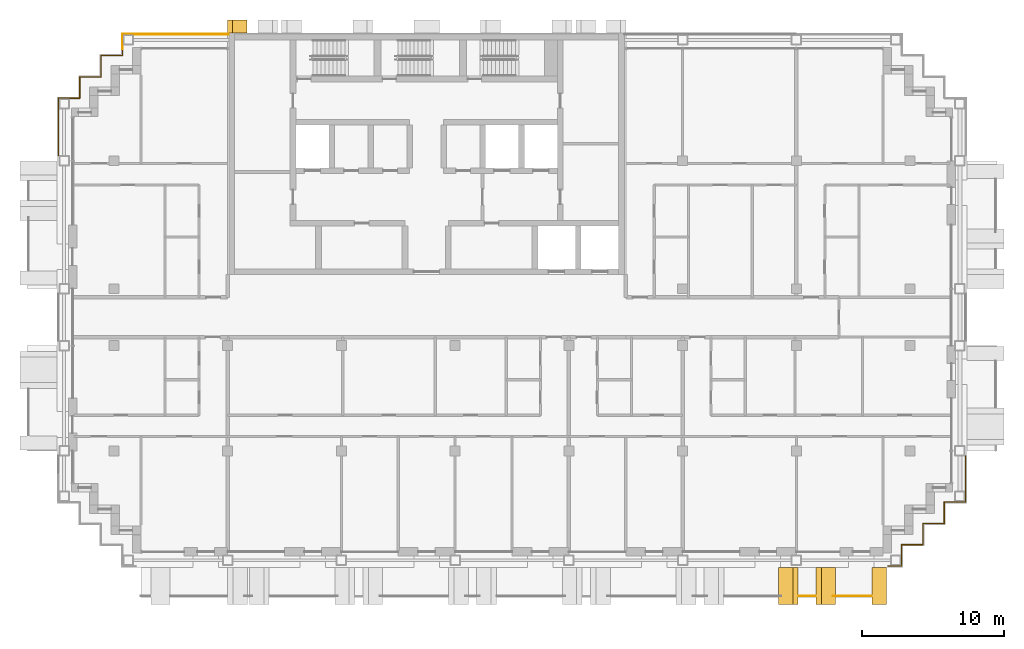
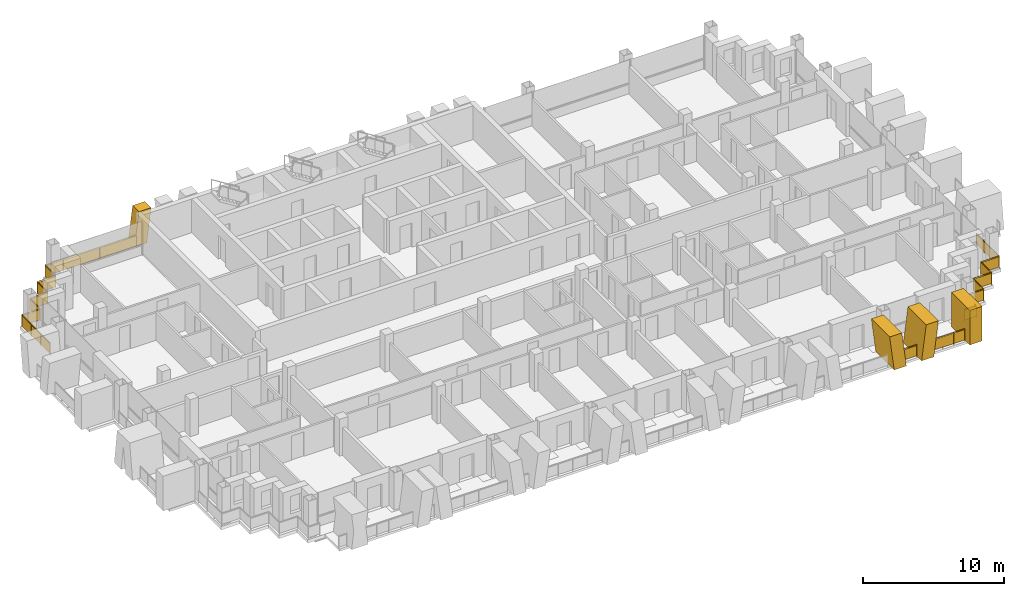
# One storey, part 14 of 16: 6 railings, 4 shading devices.
"""IFC4 building model written with IfcOpenShell, lengths in metres."""

from ifc_helpers import new_model, si_unit, direction, frame, origin, origin_2d, place, context, subcontext, project, spatial, polyline, rectangle, circle, outline, extrude, material, layer, layer_set, type_object, element, save


model = new_model("IFC4")

# Units and contexts
model_context = context("Model", 3, precision=1e-05, world=origin(), true_north=direction((0.0, 1.0)))
body_context = subcontext(model_context, "Body", "Model", "MODEL_VIEW")
ifc_project = project(units=[si_unit("LENGTHUNIT", "METRE"), si_unit("AREAUNIT", "SQUARE_METRE"), si_unit("VOLUMEUNIT", "CUBIC_METRE"), si_unit("PLANEANGLEUNIT", "RADIAN"), si_unit("MASSUNIT", "GRAM", prefix="KILO")], contexts=[model_context])

# Site, building, storey
site_placement = place(None, origin())
site = spatial("IfcSite", under=ifc_project, at=site_placement, CompositionType="ELEMENT")
building_placement = place(site_placement, origin())
building = spatial("IfcBuilding", under=site, at=building_placement, Name="Vidyagriha Tower", CompositionType="ELEMENT")
storey_placement = place(building_placement, frame((0.0, 0.0, 187.699951171875)))
storey = spatial("IfcBuildingStorey", under=building, at=storey_placement, Name="L49", CompositionType="ELEMENT", Elevation=187.699951171875)

# Railings
ifc_material_1 = material(Name="Steel ASTM A500 Grade C black painted", Category="steel")
railing_type_1 = type_object("IfcRailingType", Name="Balcony guard 1100", PredefinedType="BALUSTRADE", material=ifc_material_1)
railing_1_placement = place(storey_placement, frame((26.175048828125, -19.60009765625, 0.0)))
element("IfcRailing", 1, at=railing_1_placement, inside=storey, type_object=railing_type_1, Name="Balcony guard L49 R23.1-13", PredefinedType="BALUSTRADE", context=body_context, shape_type="SweptSolid", body=[
    extrude(circle(Radius=0.02490234375, at=origin_2d()), frame((0.0, 0.0, 1.0751953125), z_axis=(1.0, 0.0, 0.0), x_axis=(0.0, 1.0, 0.0)), (0.0, 0.0, 1.0), 1.14990234375),
    extrude(circle(Radius=0.02001953125, at=origin_2d()), origin(), (0.0, 0.0, 1.0), 1.050048828125),
    extrude(circle(Radius=0.02001953125, at=origin_2d()), frame((1.14990234375, 0.0, 0.0)), (0.0, 0.0, 1.0), 1.050048828125),
    extrude(rectangle(XDim=0.010009765625, YDim=0.900146484375, at=origin_2d()), frame((0.0, 0.0, 0.550048828125), z_axis=(1.0, 0.0, 0.0), x_axis=(0.0, 1.0, 0.0)), (0.0, 0.0, 1.0), 1.14990234375),
])
railing_2_placement = place(storey_placement, frame((28.56884765625, -19.60009765625, 0.0)))
element("IfcRailing", 2, at=railing_2_placement, inside=storey, type_object=railing_type_1, Name="Balcony guard L49 R23.1-14", PredefinedType="BALUSTRADE", context=body_context, shape_type="SweptSolid", body=[
    extrude(circle(Radius=0.02490234375, at=origin_2d()), frame((0.0, 0.0, 1.0751953125), z_axis=(1.0, 0.0, 0.0), x_axis=(0.0, 1.0, 0.0)), (0.0, 0.0, 1.0), 2.7060546875),
    extrude(circle(Radius=0.02001953125, at=origin_2d()), origin(), (0.0, 0.0, 1.0), 1.050048828125),
    extrude(circle(Radius=0.02001953125, at=origin_2d()), frame((0.902099609375, 0.0, 0.0)), (0.0, 0.0, 1.0), 1.050048828125),
    extrude(circle(Radius=0.02001953125, at=origin_2d()), frame((1.803955078125, 0.0, 0.0)), (0.0, 0.0, 1.0), 1.050048828125),
    extrude(circle(Radius=0.02001953125, at=origin_2d()), frame((2.7060546875, 0.0, 0.0)), (0.0, 0.0, 1.0), 1.050048828125),
    extrude(rectangle(XDim=0.010009765625, YDim=0.900146484375, at=origin_2d()), frame((0.0, 0.0, 0.550048828125), z_axis=(1.0, 0.0, 0.0), x_axis=(0.0, 1.0, 0.0)), (0.0, 0.0, 1.0), 2.7060546875),
])

# Shading devices
ifc_material_2 = material(Name="Precast concrete C40/50 with buff brick facing", Category="concrete")
ifc_layer_1 = layer(ifc_material_2, 1.0)
ifc_layer_set_1 = layer_set([ifc_layer_1], Name="Precast concrete C40/50 with buff brick facing")
shading_device_type_1 = type_object("IfcShadingDeviceType", Name="Brick-faced blade fin arm leaning 8 degrees", PredefinedType="USERDEFINED", material=ifc_layer_set_1)
shading_device_1_placement = place(storey_placement, frame((27.375, -18.89990234375, 0.0)))
element("IfcShadingDevice", 3, at=shading_device_1_placement, inside=storey, type_object=shading_device_type_1, Name="Leaning blade fin L49 R23.4610a", ObjectType="BLADE FIN", PredefinedType="USERDEFINED", context=body_context, shape_type="SweptSolid", body=[
    extrude(outline(polyline([(0.0, 0.0), (1.0, 0.0), (1.375, 3.0), (0.375, 3.0), (0.0, 0.0)])), frame((0.0, 1.300048828125, 0.0), z_axis=(0.0, -1.0, 0.0), x_axis=(1.0, 0.0, 0.0)), (0.0, 0.0, 1.0), 2.60009765625),
])
shading_device_2_placement = place(storey_placement, frame((24.75, -18.89990234375, 0.0)))
element("IfcShadingDevice", 4, at=shading_device_2_placement, inside=storey, type_object=shading_device_type_1, Name="Leaning blade fin L49 R23.4610b", ObjectType="BLADE FIN", PredefinedType="USERDEFINED", context=body_context, shape_type="SweptSolid", body=[
    extrude(outline(polyline([(0.375, 0.0), (1.375, 0.0), (1.0, 3.0), (0.0, 3.0), (0.375, 0.0)])), frame((0.0, 1.300048828125, 0.0), z_axis=(0.0, -1.0, 0.0), x_axis=(1.0, 0.0, 0.0)), (0.0, 0.0, 1.0), 2.60009765625),
])
ifc_material_3 = material(Name="Precast concrete C40/50 with buff brick facing", Category="concrete")
ifc_layer_2 = layer(ifc_material_3, 1.0)
ifc_layer_set_2 = layer_set([ifc_layer_2], Name="Precast concrete C40/50 with buff brick facing")
shading_device_type_2 = type_object("IfcShadingDeviceType", Name="Brick-faced blade fin stem 1000", PredefinedType="USERDEFINED", material=ifc_layer_set_2)
shading_device_3_placement = place(storey_placement, frame((31.324951171875, -18.89990234375, 0.0)))
element("IfcShadingDevice", 5, at=shading_device_3_placement, inside=storey, type_object=shading_device_type_2, Name="Stem blade fin L49 R23.5220a", ObjectType="BLADE FIN", PredefinedType="USERDEFINED", context=body_context, shape_type="SweptSolid", body=[
    extrude(outline(polyline([(0.0, 0.0), (1.0, 0.0), (1.0, 3.0), (0.0, 3.0), (0.0, 0.0)])), frame((0.0, 1.300048828125, 0.0), z_axis=(0.0, -1.0, 0.0), x_axis=(1.0, 0.0, 0.0)), (0.0, 0.0, 1.0), 2.60009765625),
])
ifc_material_4 = material(Name="Precast concrete C40/50 with brick facing", Category="concrete")
ifc_layer_3 = layer(ifc_material_4, 1.0)
ifc_layer_set_3 = layer_set([ifc_layer_3], Name="Precast concrete C40/50 with brick facing")
shading_device_type_3 = type_object("IfcShadingDeviceType", Name="Brick-faced rear rib arm leaning 8 degrees", PredefinedType="USERDEFINED", material=ifc_layer_set_3)
shading_device_4_placement = place(storey_placement, frame((-12.642822265625, 20.449951171875, 0.0), z_axis=(0.0, 0.0, 1.0), x_axis=(-1.0, 0.0, 0.0)))
element("IfcShadingDevice", 6, at=shading_device_4_placement, inside=storey, type_object=shading_device_type_3, Name="Rear rib arm L49 R08.5a", ObjectType="BLADE FIN", PredefinedType="USERDEFINED", context=body_context, shape_type="SweptSolid", body=[
    extrude(outline(polyline([(0.357177734375, 0.0), (1.357177734375, 0.0), (1.0, 2.920166015625), (0.0, 2.920166015625), (0.357177734375, 0.0)])), frame((0.0, 0.449951171875, 0.0), z_axis=(0.0, -1.0, 0.0), x_axis=(1.0, 0.0, 0.0)), (0.0, 0.0, 1.0), 0.89990234375),
])

# Railings
ifc_material_5 = material(Name="Steel ASTM A500 Grade C black painted", Category="steel")
railing_type_2 = type_object("IfcRailingType", Name="Gallery guard 1100", PredefinedType="GUARDRAIL", material=ifc_material_5)
railing_3_placement = place(storey_placement, frame((-25.89990234375, 11.360107421875, 0.0)))
element("IfcRailing", 7, at=railing_3_placement, inside=storey, type_object=railing_type_2, Name="Gallery guard L49 4", PredefinedType="GUARDRAIL", context=body_context, shape_type="SweptSolid", body=[
    extrude(circle(Radius=0.02490234375, at=origin_2d()), frame((0.0, 0.0, 1.0751953125), z_axis=(0.0, 1.0, 0.0), x_axis=(-1.0, 0.0, 0.0)), (0.0, 0.0, 1.0), 4.039794921875),
    extrude(circle(Radius=0.02490234375, at=origin_2d()), frame((0.0, 4.039794921875, 1.0751953125), z_axis=(1.0, 0.0, 0.0), x_axis=(0.0, 1.0, 0.0)), (0.0, 0.0, 1.0), 1.5),
    extrude(circle(Radius=0.02490234375, at=origin_2d()), frame((1.5, 4.039794921875, 1.0751953125), z_axis=(0.0, 1.0, 0.0), x_axis=(-1.0, 0.0, 0.0)), (0.0, 0.0, 1.0), 1.5),
    extrude(circle(Radius=0.02490234375, at=origin_2d()), frame((1.5, 5.539794921875, 1.0751953125), z_axis=(1.0, 0.0, 0.0), x_axis=(0.0, 1.0, 0.0)), (0.0, 0.0, 1.0), 1.5),
    extrude(circle(Radius=0.02490234375, at=origin_2d()), frame((3.0, 5.539794921875, 1.0751953125), z_axis=(0.0, 1.0, 0.0), x_axis=(-1.0, 0.0, 0.0)), (0.0, 0.0, 1.0), 1.5),
    extrude(circle(Radius=0.02490234375, at=origin_2d()), frame((3.0, 7.039794921875, 1.0751953125), z_axis=(1.0, 0.0, 0.0), x_axis=(0.0, 1.0, 0.0)), (0.0, 0.0, 1.0), 1.5),
    extrude(circle(Radius=0.02490234375, at=origin_2d()), frame((4.5, 7.039794921875, 1.0751953125), z_axis=(0.0, 1.0, 0.0), x_axis=(-1.0, 0.0, 0.0)), (0.0, 0.0, 1.0), 0.460205078125),
    extrude(circle(Radius=0.02001953125, at=origin_2d()), origin(), (0.0, 0.0, 1.0), 1.050048828125),
    extrude(circle(Radius=0.02001953125, at=origin_2d()), frame((0.0, 1.3466796875, 0.0)), (0.0, 0.0, 1.0), 1.050048828125),
    extrude(circle(Radius=0.02001953125, at=origin_2d()), frame((0.0, 2.693115234375, 0.0)), (0.0, 0.0, 1.0), 1.050048828125),
    extrude(circle(Radius=0.02001953125, at=origin_2d()), frame((0.0, 4.039794921875, 0.0)), (0.0, 0.0, 1.0), 1.050048828125),
    extrude(circle(Radius=0.02001953125, at=origin_2d()), frame((1.5, 4.039794921875, 0.0)), (0.0, 0.0, 1.0), 1.050048828125),
    extrude(circle(Radius=0.02001953125, at=origin_2d()), frame((1.5, 5.539794921875, 0.0)), (0.0, 0.0, 1.0), 1.050048828125),
    extrude(circle(Radius=0.02001953125, at=origin_2d()), frame((3.0, 5.539794921875, 0.0)), (0.0, 0.0, 1.0), 1.050048828125),
    extrude(circle(Radius=0.02001953125, at=origin_2d()), frame((3.0, 7.039794921875, 0.0)), (0.0, 0.0, 1.0), 1.050048828125),
    extrude(circle(Radius=0.02001953125, at=origin_2d()), frame((4.5, 7.039794921875, 0.0)), (0.0, 0.0, 1.0), 1.050048828125),
    extrude(circle(Radius=0.02001953125, at=origin_2d()), frame((4.5, 7.5, 0.0)), (0.0, 0.0, 1.0), 1.050048828125),
    extrude(rectangle(XDim=0.010009765625, YDim=0.900146484375, at=origin_2d()), frame((0.0, 0.0, 0.550048828125), z_axis=(0.0, 1.0, 0.0), x_axis=(-1.0, 0.0, 0.0)), (0.0, 0.0, 1.0), 4.039794921875),
    extrude(rectangle(XDim=0.010009765625, YDim=0.900146484375, at=origin_2d()), frame((0.0, 4.039794921875, 0.550048828125), z_axis=(1.0, 0.0, 0.0), x_axis=(0.0, 1.0, 0.0)), (0.0, 0.0, 1.0), 1.5),
    extrude(rectangle(XDim=0.010009765625, YDim=0.900146484375, at=origin_2d()), frame((1.5, 4.039794921875, 0.550048828125), z_axis=(0.0, 1.0, 0.0), x_axis=(-1.0, 0.0, 0.0)), (0.0, 0.0, 1.0), 1.5),
    extrude(rectangle(XDim=0.010009765625, YDim=0.900146484375, at=origin_2d()), frame((1.5, 5.539794921875, 0.550048828125), z_axis=(1.0, 0.0, 0.0), x_axis=(0.0, 1.0, 0.0)), (0.0, 0.0, 1.0), 1.5),
    extrude(rectangle(XDim=0.010009765625, YDim=0.900146484375, at=origin_2d()), frame((3.0, 5.539794921875, 0.550048828125), z_axis=(0.0, 1.0, 0.0), x_axis=(-1.0, 0.0, 0.0)), (0.0, 0.0, 1.0), 1.5),
    extrude(rectangle(XDim=0.010009765625, YDim=0.900146484375, at=origin_2d()), frame((3.0, 7.039794921875, 0.550048828125), z_axis=(1.0, 0.0, 0.0), x_axis=(0.0, 1.0, 0.0)), (0.0, 0.0, 1.0), 1.5),
    extrude(rectangle(XDim=0.010009765625, YDim=0.900146484375, at=origin_2d()), frame((4.5, 7.039794921875, 0.550048828125), z_axis=(0.0, 1.0, 0.0), x_axis=(-1.0, 0.0, 0.0)), (0.0, 0.0, 1.0), 0.460205078125),
])
railing_4_placement = place(storey_placement, frame((-21.39990234375, 18.860107421875, 0.0)))
element("IfcRailing", 8, at=railing_4_placement, inside=storey, type_object=railing_type_2, Name="Gallery guard L49 5", PredefinedType="GUARDRAIL", context=body_context, shape_type="SweptSolid", body=[
    extrude(circle(Radius=0.02490234375, at=origin_2d()), frame((0.0, 0.0, 1.0751953125), z_axis=(0.0, 1.0, 0.0), x_axis=(-1.0, 0.0, 0.0)), (0.0, 0.0, 1.0), 1.039794921875),
    extrude(circle(Radius=0.02490234375, at=origin_2d()), frame((0.0, 1.039794921875, 1.0751953125), z_axis=(1.0, 0.0, 0.0), x_axis=(0.0, 1.0, 0.0)), (0.0, 0.0, 1.0), 7.469970703125),
    extrude(circle(Radius=0.02001953125, at=origin_2d()), origin(), (0.0, 0.0, 1.0), 1.050048828125),
    extrude(circle(Radius=0.02001953125, at=origin_2d()), frame((0.0, 1.039794921875, 0.0)), (0.0, 0.0, 1.0), 1.050048828125),
    extrude(circle(Radius=0.02001953125, at=origin_2d()), frame((1.493896484375, 1.039794921875, 0.0)), (0.0, 0.0, 1.0), 1.050048828125),
    extrude(circle(Radius=0.02001953125, at=origin_2d()), frame((2.988037109375, 1.039794921875, 0.0)), (0.0, 0.0, 1.0), 1.050048828125),
    extrude(circle(Radius=0.02001953125, at=origin_2d()), frame((4.48193359375, 1.039794921875, 0.0)), (0.0, 0.0, 1.0), 1.050048828125),
    extrude(circle(Radius=0.02001953125, at=origin_2d()), frame((5.97607421875, 1.039794921875, 0.0)), (0.0, 0.0, 1.0), 1.050048828125),
    extrude(circle(Radius=0.02001953125, at=origin_2d()), frame((7.469970703125, 1.039794921875, 0.0)), (0.0, 0.0, 1.0), 1.050048828125),
    extrude(rectangle(XDim=0.010009765625, YDim=0.900146484375, at=origin_2d()), frame((0.0, 0.0, 0.550048828125), z_axis=(0.0, 1.0, 0.0), x_axis=(-1.0, 0.0, 0.0)), (0.0, 0.0, 1.0), 1.039794921875),
    extrude(rectangle(XDim=0.010009765625, YDim=0.900146484375, at=origin_2d()), frame((0.0, 1.039794921875, 0.550048828125), z_axis=(1.0, 0.0, 0.0), x_axis=(0.0, 1.0, 0.0)), (0.0, 0.0, 1.0), 7.469970703125),
])
railing_5_placement = place(storey_placement, frame((37.89990234375, -9.760009765625, 0.0)))
element("IfcRailing", 9, at=railing_5_placement, inside=storey, type_object=railing_type_2, Name="Gallery guard L49 9", PredefinedType="GUARDRAIL", context=body_context, shape_type="SweptSolid", body=[
    extrude(circle(Radius=0.02490234375, at=origin_2d()), frame((0.0, 0.0, 1.0751953125), z_axis=(0.0, -1.0, 0.0), x_axis=(1.0, 0.0, 0.0)), (0.0, 0.0, 1.0), 3.239990234375),
    extrude(circle(Radius=0.02490234375, at=origin_2d()), frame((0.0, -3.239990234375, 1.0751953125), z_axis=(-1.0, 0.0, 0.0), x_axis=(0.0, -1.0, 0.0)), (0.0, 0.0, 1.0), 1.5),
    extrude(circle(Radius=0.02490234375, at=origin_2d()), frame((-1.5, -3.239990234375, 1.0751953125), z_axis=(0.0, -1.0, 0.0), x_axis=(1.0, 0.0, 0.0)), (0.0, 0.0, 1.0), 1.5),
    extrude(circle(Radius=0.02490234375, at=origin_2d()), frame((-1.5, -4.739990234375, 1.0751953125), z_axis=(-1.0, 0.0, 0.0), x_axis=(0.0, -1.0, 0.0)), (0.0, 0.0, 1.0), 1.5),
    extrude(circle(Radius=0.02490234375, at=origin_2d()), frame((-3.0, -4.739990234375, 1.0751953125), z_axis=(0.0, -1.0, 0.0), x_axis=(1.0, 0.0, 0.0)), (0.0, 0.0, 1.0), 1.5),
    extrude(circle(Radius=0.02490234375, at=origin_2d()), frame((-3.0, -6.239990234375, 1.0751953125), z_axis=(-1.0, 0.0, 0.0), x_axis=(0.0, -1.0, 0.0)), (0.0, 0.0, 1.0), 1.5),
    extrude(circle(Radius=0.02490234375, at=origin_2d()), frame((-4.5, -6.239990234375, 1.0751953125), z_axis=(0.0, -1.0, 0.0), x_axis=(1.0, 0.0, 0.0)), (0.0, 0.0, 1.0), 1.260009765625),
    extrude(circle(Radius=0.02001953125, at=origin_2d()), origin(), (0.0, 0.0, 1.0), 1.050048828125),
    extrude(circle(Radius=0.02001953125, at=origin_2d()), frame((0.0, -1.080078125, 0.0)), (0.0, 0.0, 1.0), 1.050048828125),
    extrude(circle(Radius=0.02001953125, at=origin_2d()), frame((0.0, -2.159912109375, 0.0)), (0.0, 0.0, 1.0), 1.050048828125),
    extrude(circle(Radius=0.02001953125, at=origin_2d()), frame((0.0, -3.239990234375, 0.0)), (0.0, 0.0, 1.0), 1.050048828125),
    extrude(circle(Radius=0.02001953125, at=origin_2d()), frame((-1.5, -3.239990234375, 0.0)), (0.0, 0.0, 1.0), 1.050048828125),
    extrude(circle(Radius=0.02001953125, at=origin_2d()), frame((-1.5, -4.739990234375, 0.0)), (0.0, 0.0, 1.0), 1.050048828125),
    extrude(circle(Radius=0.02001953125, at=origin_2d()), frame((-3.0, -4.739990234375, 0.0)), (0.0, 0.0, 1.0), 1.050048828125),
    extrude(circle(Radius=0.02001953125, at=origin_2d()), frame((-3.0, -6.239990234375, 0.0)), (0.0, 0.0, 1.0), 1.050048828125),
    extrude(circle(Radius=0.02001953125, at=origin_2d()), frame((-4.5, -6.239990234375, 0.0)), (0.0, 0.0, 1.0), 1.050048828125),
    extrude(circle(Radius=0.02001953125, at=origin_2d()), frame((-4.5, -7.5, 0.0)), (0.0, 0.0, 1.0), 1.050048828125),
    extrude(rectangle(XDim=0.010009765625, YDim=0.900146484375, at=origin_2d()), frame((0.0, 0.0, 0.550048828125), z_axis=(0.0, -1.0, 0.0), x_axis=(1.0, 0.0, 0.0)), (0.0, 0.0, 1.0), 3.239990234375),
    extrude(rectangle(XDim=0.010009765625, YDim=0.900146484375, at=origin_2d()), frame((0.0, -3.239990234375, 0.550048828125), z_axis=(-1.0, 0.0, 0.0), x_axis=(0.0, -1.0, 0.0)), (0.0, 0.0, 1.0), 1.5),
    extrude(rectangle(XDim=0.010009765625, YDim=0.900146484375, at=origin_2d()), frame((-1.5, -3.239990234375, 0.550048828125), z_axis=(0.0, -1.0, 0.0), x_axis=(1.0, 0.0, 0.0)), (0.0, 0.0, 1.0), 1.5),
    extrude(rectangle(XDim=0.010009765625, YDim=0.900146484375, at=origin_2d()), frame((-1.5, -4.739990234375, 0.550048828125), z_axis=(-1.0, 0.0, 0.0), x_axis=(0.0, -1.0, 0.0)), (0.0, 0.0, 1.0), 1.5),
    extrude(rectangle(XDim=0.010009765625, YDim=0.900146484375, at=origin_2d()), frame((-3.0, -4.739990234375, 0.550048828125), z_axis=(0.0, -1.0, 0.0), x_axis=(1.0, 0.0, 0.0)), (0.0, 0.0, 1.0), 1.5),
    extrude(rectangle(XDim=0.010009765625, YDim=0.900146484375, at=origin_2d()), frame((-3.0, -6.239990234375, 0.550048828125), z_axis=(-1.0, 0.0, 0.0), x_axis=(0.0, -1.0, 0.0)), (0.0, 0.0, 1.0), 1.5),
    extrude(rectangle(XDim=0.010009765625, YDim=0.900146484375, at=origin_2d()), frame((-4.5, -6.239990234375, 0.550048828125), z_axis=(0.0, -1.0, 0.0), x_axis=(1.0, 0.0, 0.0)), (0.0, 0.0, 1.0), 1.260009765625),
])
railing_6_placement = place(storey_placement, frame((33.39990234375, -17.260009765625, 0.0)))
element("IfcRailing", 10, at=railing_6_placement, inside=storey, type_object=railing_type_2, Name="Gallery guard L49 10", PredefinedType="GUARDRAIL", context=body_context, shape_type="SweptSolid", body=[
    extrude(circle(Radius=0.02490234375, at=origin_2d()), frame((0.0, 0.0, 1.0751953125), z_axis=(0.0, -1.0, 0.0), x_axis=(1.0, 0.0, 0.0)), (0.0, 0.0, 1.0), 0.239990234375),
    extrude(circle(Radius=0.02490234375, at=origin_2d()), frame((0.0, -0.239990234375, 1.0751953125), z_axis=(-1.0, 0.0, 0.0), x_axis=(0.0, -1.0, 0.0)), (0.0, 0.0, 1.0), 0.93994140625),
    extrude(circle(Radius=0.02001953125, at=origin_2d()), origin(), (0.0, 0.0, 1.0), 1.050048828125),
    extrude(circle(Radius=0.02001953125, at=origin_2d()), frame((0.0, -0.239990234375, 0.0)), (0.0, 0.0, 1.0), 1.050048828125),
    extrude(circle(Radius=0.02001953125, at=origin_2d()), frame((-0.93994140625, -0.239990234375, 0.0)), (0.0, 0.0, 1.0), 1.050048828125),
    extrude(rectangle(XDim=0.010009765625, YDim=0.900146484375, at=origin_2d()), frame((0.0, 0.0, 0.550048828125), z_axis=(0.0, -1.0, 0.0), x_axis=(1.0, 0.0, 0.0)), (0.0, 0.0, 1.0), 0.239990234375),
    extrude(rectangle(XDim=0.010009765625, YDim=0.900146484375, at=origin_2d()), frame((0.0, -0.239990234375, 0.550048828125), z_axis=(-1.0, 0.0, 0.0), x_axis=(0.0, -1.0, 0.0)), (0.0, 0.0, 1.0), 0.93994140625),
])

save(model, "model.ifc")
